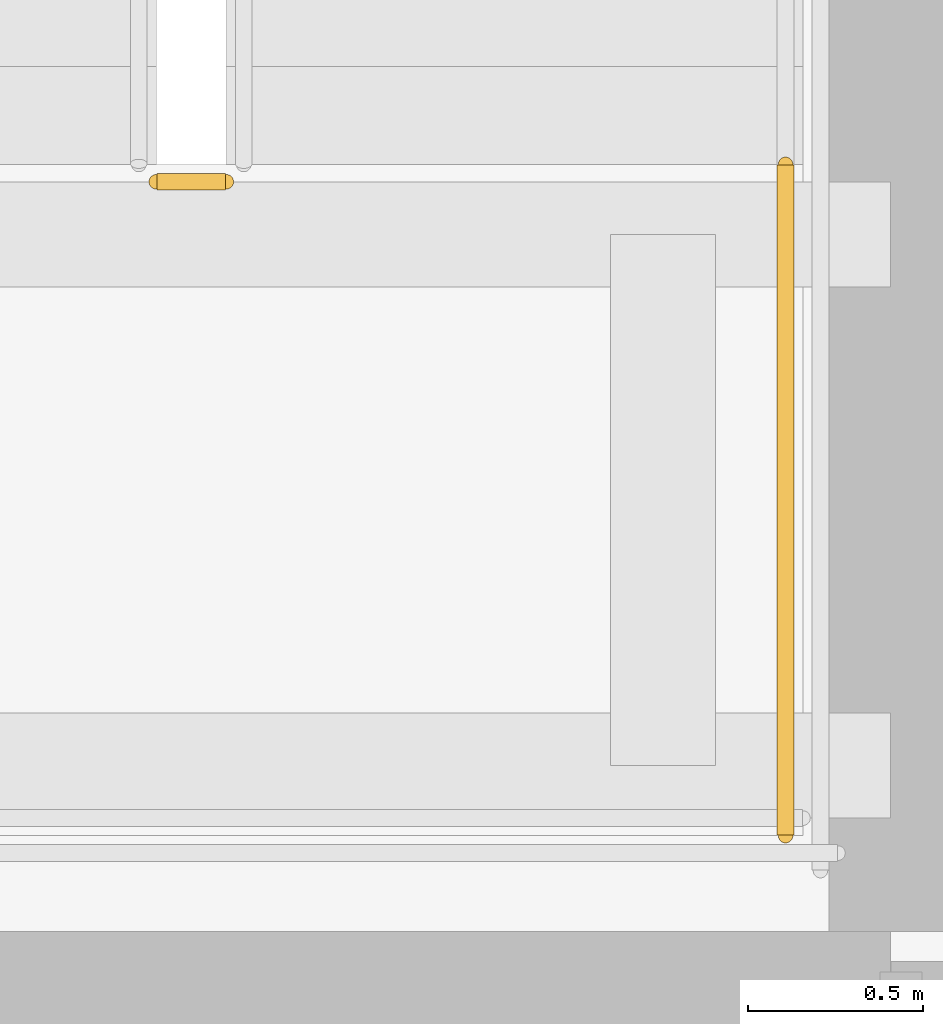
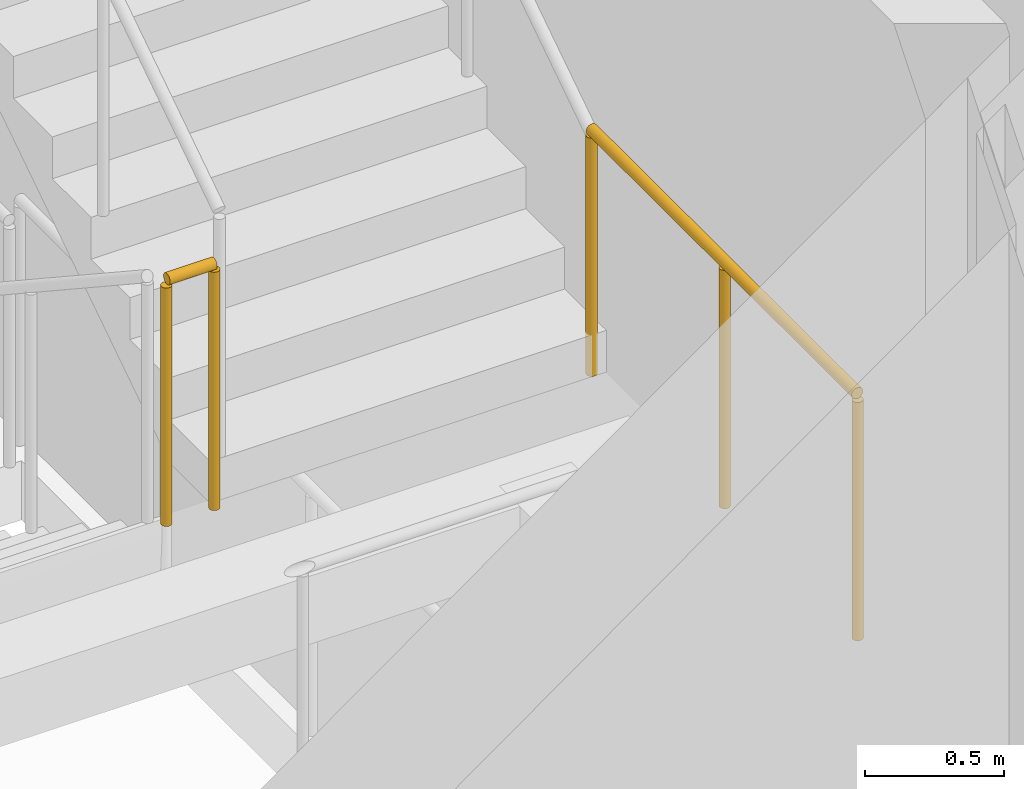
# One storey, part 35 of 40: 2 railings.
"""IFC4 building model written with IfcOpenShell, lengths in metres."""

from ifc_helpers import new_model, si_unit, direction, frame, origin, origin_2d, place, context, subcontext, project, spatial, circle, extrude, material, type_object, element, save


model = new_model("IFC4")

# Units and contexts
model_context = context("Model", 3, precision=1e-05, world=origin(), true_north=direction((0.0, 1.0)))
body_context = subcontext(model_context, "Body", "Model", "MODEL_VIEW")
ifc_project = project(units=[si_unit("LENGTHUNIT", "METRE"), si_unit("AREAUNIT", "SQUARE_METRE"), si_unit("VOLUMEUNIT", "CUBIC_METRE"), si_unit("PLANEANGLEUNIT", "RADIAN"), si_unit("MASSUNIT", "GRAM", prefix="KILO")], contexts=[model_context])

# Site, building, storey
site_placement = place(None, origin())
site = spatial("IfcSite", under=ifc_project, at=site_placement, CompositionType="ELEMENT")
building_placement = place(site_placement, origin())
building = spatial("IfcBuilding", under=site, at=building_placement, Name="Serunith Strait Residences", CompositionType="ELEMENT")
storey_placement = place(building_placement, frame((0.0, 0.0, 347.949951171875)))
storey = spatial("IfcBuildingStorey", under=building, at=storey_placement, Name="L86", CompositionType="ELEMENT", Elevation=347.949951171875)

# Railings
ifc_material = material(Name="Brushed stainless steel 316L", Category="steel")
railing_type = type_object("IfcRailingType", Name="RLG-STAIR-GUARD", PredefinedType="BALUSTRADE", material=ifc_material)
railing_1_placement = place(storey_placement, frame((39.300048828125, 19.1201171875, 2.949951171875)))
element("IfcRailing", 1, at=railing_1_placement, inside=storey, type_object=railing_type, Name="L86 ST-2 stair guard 2", PredefinedType="BALUSTRADE", context=body_context, shape_type="SweptSolid", body=[
    extrude(circle(Radius=0.02392578125, at=origin_2d()), frame((0.001953125, 0.0, 1.076171875), z_axis=(1.0, 0.0, 0.0), x_axis=(0.0, 1.0, 0.0)), (0.0, 0.0, 1.0), 0.196044921875),
    extrude(circle(Radius=0.02099609375, at=origin_2d()), origin(), (0.0, 0.0, 1.0), 1.050048828125),
    extrude(circle(Radius=0.02099609375, at=origin_2d()), frame((0.199951171875, 0.0, 0.0)), (0.0, 0.0, 1.0), 1.050048828125),
])
railing_2_placement = place(storey_placement, frame((41.10009765625, 19.169921875, 2.949951171875)))
element("IfcRailing", 2, at=railing_2_placement, inside=storey, type_object=railing_type, Name="L86 ST-2 stair guard 4", PredefinedType="BALUSTRADE", context=body_context, shape_type="SweptSolid", body=[
    extrude(circle(Radius=0.02392578125, at=origin_2d()), frame((0.0, -0.001953125, 1.076171875), z_axis=(0.0, -1.0, 0.0), x_axis=(1.0, 0.0, 0.0)), (0.0, 0.0, 1.0), 1.916015625),
    extrude(circle(Radius=0.02099609375, at=origin_2d()), origin(), (0.0, 0.0, 1.0), 1.050048828125),
    extrude(circle(Radius=0.02099609375, at=origin_2d()), frame((0.0, -0.9599609375, 0.0)), (0.0, 0.0, 1.0), 1.050048828125),
    extrude(circle(Radius=0.02099609375, at=origin_2d()), frame((0.0, -1.919921875, 0.0)), (0.0, 0.0, 1.0), 1.050048828125),
])

save(model, "model.ifc")
